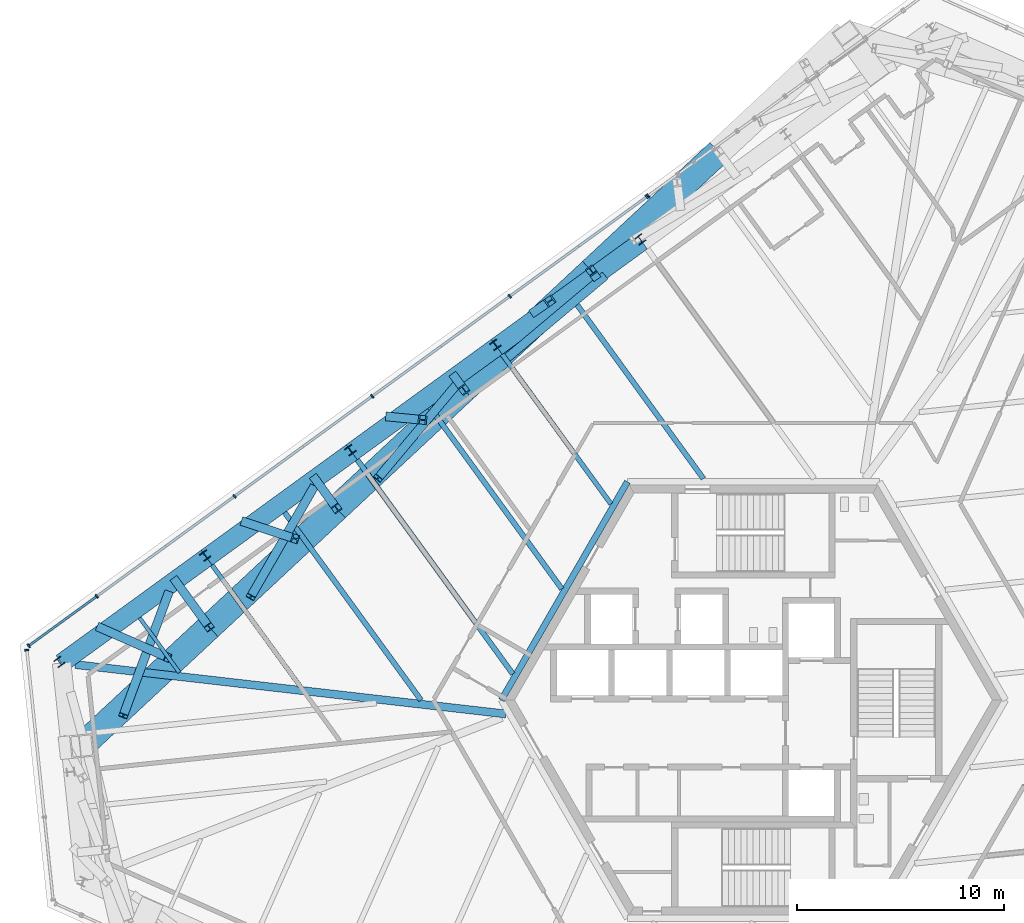
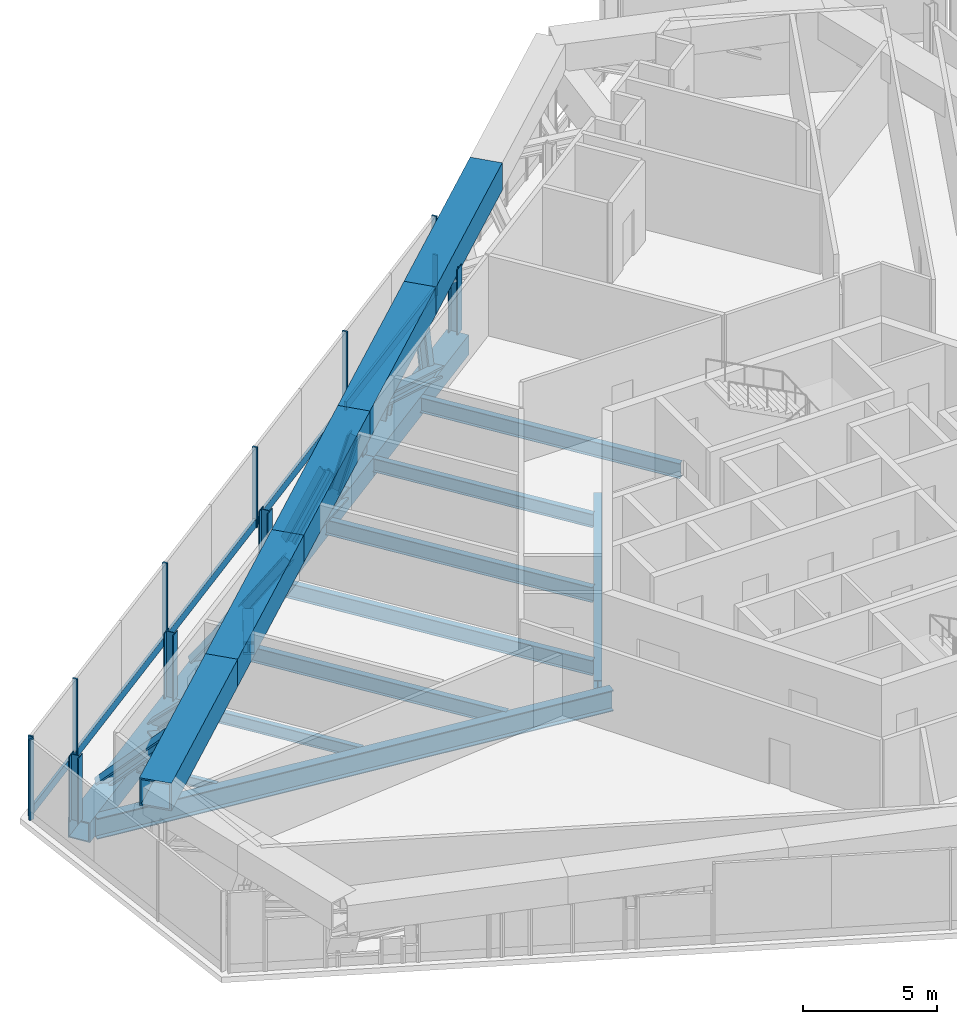
# One storey, part 6 of 30: 39 members, 9 beams, 3 elements without a shape of their own.
"""IFC4 building model written with IfcOpenShell, lengths in metres."""

from ifc_helpers import new_model, si_unit, direction, frame, origin, origin_2d, place, context, subcontext, project, spatial, rectangle, hollow_rectangle, i_section, extrude, source, transform, mapped, material, material_profile, profile_set, type_object, element, aggregate, save


model = new_model("IFC4")

# Units and contexts
model_context = context("Model", 3, precision=1e-05, world=origin(), true_north=direction((0.0, 1.0)))
body_context = subcontext(model_context, "Body", "Model", "MODEL_VIEW")
ifc_project = project(units=[si_unit("LENGTHUNIT", "METRE"), si_unit("AREAUNIT", "SQUARE_METRE"), si_unit("VOLUMEUNIT", "CUBIC_METRE"), si_unit("PLANEANGLEUNIT", "RADIAN"), si_unit("MASSUNIT", "GRAM", prefix="KILO")], contexts=[model_context])

# Site, building, storey
site_placement = place(None, origin())
site = spatial("IfcSite", under=ifc_project, at=site_placement, CompositionType="ELEMENT")
building_placement = place(site_placement, origin())
building = spatial("IfcBuilding", under=site, at=building_placement, Name="Triune Harvest Tower", CompositionType="ELEMENT")
storey_placement = place(building_placement, frame((0.0, 0.0, 94.5)))
storey = spatial("IfcBuildingStorey", under=building, at=storey_placement, Name="L23", CompositionType="ELEMENT", Elevation=94.5)

# Beams
ifc_material_1 = material(Name="Steel ASTM A992 Gr 50", Category="steel")
ifc_material_profile_1 = material_profile(ifc_material_1, i_section(OverallWidth=0.2099609375, OverallDepth=0.535888671875, WebThickness=0.010986328125, FlangeThickness=0.017333984375, at=origin_2d()), Name="W21x68")
ifc_profile_set_1 = profile_set([ifc_material_profile_1], Name="Steel ASTM A992 Gr 50")
beam_type_1 = type_object("IfcBeamType", Name="JT-2 Floor joist W21x68", PredefinedType="JOIST", material=ifc_profile_set_1)
beam_1_placement = place(storey_placement, frame((-26.149169921875, 6.51708984375, -0.51806640625), z_axis=(0.587800655977, -0.809005802719, 0.0), x_axis=(0.809005802719, 0.587800655977, 0.0)))
element("IfcBeam", 1, at=beam_1_placement, inside=storey, type_object=beam_type_1, Name="beam/L23/JT23", PredefinedType="JOIST", context=body_context, shape_type="SweptSolid", body=[
    extrude(i_section(OverallWidth=0.2099609375, OverallDepth=0.535888671875, WebThickness=0.010986328125, FlangeThickness=0.017333984375, at=origin_2d()), origin(), (0.0, 0.0, 1.0), 7.239013671875),
])
ifc_material_2 = material(Name="Steel ASTM A992 Gr 50", Category="steel")
ifc_material_profile_2 = material_profile(ifc_material_2, i_section(OverallWidth=0.253662109375, OverallDepth=0.683349609375, WebThickness=0.012451171875, FlangeThickness=0.01904296875, at=origin_2d()), Name="W27x94")
ifc_profile_set_2 = profile_set([ifc_material_profile_2], Name="Steel ASTM A992 Gr 50")
beam_type_2 = type_object("IfcBeamType", Name="JT-4 Floor joist W27x94", PredefinedType="JOIST", material=ifc_profile_set_2)
beam_2_placement = place(storey_placement, frame((-8.62939453125, 19.24609375, -0.591552734375), z_axis=(0.587780115446, -0.809020726488, 0.0), x_axis=(0.809020726488, 0.587780115446, 0.0)))
element("IfcBeam", 2, at=beam_2_placement, inside=storey, type_object=beam_type_2, Name="beam/L23/JT18", PredefinedType="JOIST", context=body_context, shape_type="SweptSolid", body=[
    extrude(i_section(OverallWidth=0.253662109375, OverallDepth=0.683349609375, WebThickness=0.012451171875, FlangeThickness=0.01904296875, at=origin_2d()), origin(), (0.0, 0.0, 1.0), 10.567138671875),
])
beam_3_placement = place(storey_placement, frame((-15.63720703125, 14.154296875, -0.591552734375), z_axis=(0.587785368145, -0.809016910203, 0.0), x_axis=(0.809016910203, 0.587785368145, 0.0)))
element("IfcBeam", 3, at=beam_3_placement, inside=storey, type_object=beam_type_2, Name="beam/L23/JT20", PredefinedType="JOIST", context=body_context, shape_type="SweptSolid", body=[
    extrude(i_section(OverallWidth=0.253662109375, OverallDepth=0.683349609375, WebThickness=0.012451171875, FlangeThickness=0.01904296875, at=origin_2d()), origin(), (0.0, 0.0, 1.0), 10.861083984375),
])
beam_4_placement = place(storey_placement, frame((-19.14111328125, 11.608642578125, -0.591552734375), z_axis=(0.587790263862, -0.809013353233, 0.0), x_axis=(0.809013353233, 0.587790263862, 0.0)))
element("IfcBeam", 4, at=beam_4_placement, inside=storey, type_object=beam_type_2, Name="beam/L23/JT21", PredefinedType="JOIST", context=body_context, shape_type="SweptSolid", body=[
    extrude(i_section(OverallWidth=0.253662109375, OverallDepth=0.683349609375, WebThickness=0.012451171875, FlangeThickness=0.01904296875, at=origin_2d()), origin(), (0.0, 0.0, 1.0), 12.78955078125),
])

# Members
ifc_material_3 = material(Name="Steel ASTM A992 Gr 50", Category="steel")
ifc_material_profile_3 = material_profile(ifc_material_3, i_section(OverallWidth=0.424072265625, OverallDepth=0.47509765625, WebThickness=0.0478515625, FlangeThickness=0.0771484375, at=origin_2d()), Name="W14x426")
ifc_profile_set_3 = profile_set([ifc_material_profile_3], Name="Steel ASTM A992 Gr 50")
member_type_1 = type_object("IfcMemberType", Name="TD-1 Belt truss diagonal W14x426", PredefinedType="BRACE", material=ifc_profile_set_3)
member_1_placement = place(storey_placement, frame((-7.236083984375, 20.443603515625, -0.324951171875), z_axis=(-0.699873663351, -0.587856418072, 0.405711334671), x_axis=(0.643168057209, -0.765725048687, 0.0)))
element("IfcMember", 5, at=member_1_placement, inside=storey, type_object=member_type_1, Name="truss/L23/TD21", PredefinedType="BRACE", context=body_context, shape_type="SweptSolid", body=[
    extrude(i_section(OverallWidth=0.424072265625, OverallDepth=0.47509765625, WebThickness=0.0478515625, FlangeThickness=0.0771484375, at=origin_2d()), origin(), (0.0, 0.0, 1.0), 6.7783203125),
])
member_2_placement = place(storey_placement, frame((-14.244140625, 15.35205078125, -0.324951171875), z_axis=(-0.585456788848, -0.697087851706, 0.413894763672), x_axis=(0.765757343829, -0.643129606201, 0.0)))
element("IfcMember", 6, at=member_2_placement, inside=storey, type_object=member_type_1, Name="truss/L23/TD23", PredefinedType="BRACE", context=body_context, shape_type="SweptSolid", body=[
    extrude(i_section(OverallWidth=0.424072265625, OverallDepth=0.47509765625, WebThickness=0.0478515625, FlangeThickness=0.0771484375, at=origin_2d()), origin(), (0.0, 0.0, 1.0), 6.644287109375),
])

# Curtain wall, member
ifc_material_4 = material(Name="Aluminium bronze anodised", Category="aluminium")
curtain_wall_type = type_object("IfcCurtainWallType", Name="CW-5 Plant louvre wall", PredefinedType="NOTDEFINED", material=ifc_material_4)
curtain_wall_1_placement = place(storey_placement, origin())
curtain_wall_1 = element("IfcCurtainWall", 7, at=curtain_wall_1_placement, inside=storey, type_object=curtain_wall_type, Name="CW-5 B2-F3 L23 run 1201")
ifc_material_5 = material(Name="Aluminium bronze anodised", Category="aluminium")
ifc_material_profile_4 = material_profile(ifc_material_5, rectangle(XDim=0.10009765625, YDim=0.39990234375, at=origin_2d()), Name="TR-5 transom 100 x 400")
ifc_profile_set_4 = profile_set([ifc_material_profile_4], Name="Aluminium bronze anodised")
member_type_2 = type_object("IfcMemberType", Name="TR-5 transom 100 x 400", PredefinedType="USERDEFINED", material=ifc_profile_set_4)
member_3_placement = place(storey_placement, frame((-5.182373046875, 24.290771484375, 0.199951171875), z_axis=(-0.809022748574, -0.587777332235, 0.0), x_axis=(0.587777332235, -0.809022748574, 0.0)))
member_3 = element("IfcMember", 8, at=member_3_placement, type_object=member_type_2, Name="CW-5 transom B2-F3 1201.1", ObjectType="TRANSOM", PredefinedType="USERDEFINED", context=body_context, shape_type="SweptSolid", body=[
    extrude(rectangle(XDim=0.10009765625, YDim=0.39990234375, at=origin_2d()), origin(), (0.0, 0.0, 1.0), 8.099609375),
])

# Member
ifc_material_6 = material(Name="Steel ASTM A992 Gr 50", Category="steel")
ifc_material_profile_5 = material_profile(ifc_material_6, i_section(OverallWidth=0.411376953125, OverallDepth=0.434326171875, WebThickness=0.035888671875, FlangeThickness=0.057373046875, at=origin_2d()), Name="W14x311")
ifc_profile_set_5 = profile_set([ifc_material_profile_5], Name="Steel ASTM A992 Gr 50")
member_type_3 = type_object("IfcMemberType", Name="TV-1 Belt truss strut W14x311", PredefinedType="STRUT", material=ifc_profile_set_5)
member_4_placement = place(storey_placement, frame((-27.93310546875, 5.77734375, -0.27490234375), z_axis=(0.422494983514, -0.58143357255, 0.695293455756), x_axis=(0.808978111554, 0.587838766181, 0.0)))
element("IfcMember", 9, at=member_4_placement, inside=storey, type_object=member_type_3, Name="truss/L23/TS14", PredefinedType="STRUT", context=body_context, shape_type="SweptSolid", body=[
    extrude(i_section(OverallWidth=0.411376953125, OverallDepth=0.434326171875, WebThickness=0.035888671875, FlangeThickness=0.057373046875, at=origin_2d()), origin(), (0.0, 0.0, 1.0), 3.88330078125),
])

# Beams
ifc_material_7 = material(Name="Steel ASTM A992 Gr 50", Category="steel")
ifc_material_profile_6 = material_profile(ifc_material_7, i_section(OverallWidth=0.3046875, OverallDepth=0.914306640625, WebThickness=0.0166015625, FlangeThickness=0.02587890625, at=origin_2d()), Name="W36x160")
ifc_profile_set_6 = profile_set([ifc_material_profile_6], Name="Steel ASTM A992 Gr 50")
beam_type_3 = type_object("IfcBeamType", Name="CG-1 Core ring girder W36x160", PredefinedType="BEAM", material=ifc_profile_set_6)
shared_shape_1 = source(origin(), body_context, "Body", "SweptSolid", [
    extrude(i_section(OverallWidth=0.3046875, OverallDepth=0.914306640625, WebThickness=0.0166015625, FlangeThickness=0.02587890625, at=origin_2d()), origin(), (0.0, 0.0, 1.0), 12.176025390625),
])
beam_5_placement = place(storey_placement, frame((-6.087890625, 10.544677734375, -0.707275390625), z_axis=(-0.5000099932, -0.866019634131, 0.0), x_axis=(0.866019634131, -0.5000099932, 0.0)))
element("IfcBeam", 10, at=beam_5_placement, inside=storey, type_object=beam_type_3, Name="beam/L23/CG3", PredefinedType="BEAM", context=body_context, shape_type="MappedRepresentation", body=[
    mapped(shared_shape_1, transform((0.0, 0.0, 0.0), scale=1.0)),
])
ifc_material_8 = material(Name="Steel ASTM A992 Gr 50", Category="steel")
ifc_material_profile_7 = material_profile(ifc_material_8, i_section(OverallWidth=0.383544921875, OverallDepth=0.9423828125, WebThickness=0.022216796875, FlangeThickness=0.039794921875, at=origin_2d()), Name="W36x232")
ifc_profile_set_7 = profile_set([ifc_material_profile_7], Name="Steel ASTM A992 Gr 50")
beam_type_4 = type_object("IfcBeamType", Name="HG-1 Hip girder W36x232", PredefinedType="BEAM", material=ifc_profile_set_7)
shared_shape_2 = source(origin(), body_context, "Body", "SweptSolid", [
    extrude(i_section(OverallWidth=0.383544921875, OverallDepth=0.9423828125, WebThickness=0.022216796875, FlangeThickness=0.039794921875, at=origin_2d()), origin(), (0.0, 0.0, 1.0), 20.931884765625),
])
beam_6_placement = place(storey_placement, frame((-32.76025390625, 1.7138671875, -0.72119140625), z_axis=(0.993487519212, -0.113940989859, 0.0), x_axis=(0.113940989859, 0.993487519212, 0.0)))
element("IfcBeam", 11, at=beam_6_placement, inside=storey, type_object=beam_type_4, Name="beam/L23/HG5", PredefinedType="BEAM", context=body_context, shape_type="MappedRepresentation", body=[
    mapped(shared_shape_2, transform((0.0, 0.0, 0.0), scale=1.0)),
])
ifc_material_9 = material(Name="Steel ASTM A992 Gr 50", Category="steel")
ifc_material_profile_8 = material_profile(ifc_material_9, i_section(OverallWidth=0.22900390625, OverallDepth=0.612060546875, WebThickness=0.011962890625, FlangeThickness=0.01953125, at=origin_2d()), Name="W24x84")
ifc_profile_set_8 = profile_set([ifc_material_profile_8], Name="Steel ASTM A992 Gr 50")
beam_type_5 = type_object("IfcBeamType", Name="JT-3 Floor joist W24x84", PredefinedType="JOIST", material=ifc_profile_set_8)
shared_shape_3 = source(origin(), body_context, "Body", "SweptSolid", [
    extrude(i_section(OverallWidth=0.22900390625, OverallDepth=0.612060546875, WebThickness=0.011962890625, FlangeThickness=0.01953125, at=origin_2d()), origin(), (0.0, 0.0, 1.0), 8.93310546875),
])
beam_7_placement = place(storey_placement, frame((-12.13330078125, 16.7001953125, -0.55615234375), z_axis=(0.587783250415, -0.80901844882, 0.0), x_axis=(0.80901844882, 0.587783250415, 0.0)))
element("IfcBeam", 12, at=beam_7_placement, inside=storey, type_object=beam_type_5, Name="beam/L23/JT19", PredefinedType="JOIST", context=body_context, shape_type="MappedRepresentation", body=[
    mapped(shared_shape_3, transform((0.0, 0.0, 0.0), scale=1.0)),
])
ifc_material_10 = material(Name="Steel ASTM A992 Gr 50", Category="steel")
ifc_material_profile_9 = material_profile(ifc_material_10, i_section(OverallWidth=0.180908203125, OverallDepth=0.41650390625, WebThickness=0.010986328125, FlangeThickness=0.01806640625, at=origin_2d()), Name="W16x57")
ifc_profile_set_9 = profile_set([ifc_material_profile_9], Name="Steel ASTM A992 Gr 50")
beam_type_6 = type_object("IfcBeamType", Name="JT-1 Floor joist W16x57", PredefinedType="JOIST", material=ifc_profile_set_9)
shared_shape_4 = source(origin(), body_context, "Body", "SweptSolid", [
    extrude(i_section(OverallWidth=0.180908203125, OverallDepth=0.41650390625, WebThickness=0.010986328125, FlangeThickness=0.01806640625, at=origin_2d()), origin(), (0.0, 0.0, 1.0), 3.264404296875),
])
beam_8_placement = place(storey_placement, frame((-29.653076171875, 3.971435546875, -0.458251953125), z_axis=(0.587784737056, -0.809017368716, 0.0), x_axis=(0.809017368716, 0.587784737056, 0.0)))
element("IfcBeam", 13, at=beam_8_placement, inside=storey, type_object=beam_type_6, Name="beam/L23/JT24", PredefinedType="JOIST", context=body_context, shape_type="MappedRepresentation", body=[
    mapped(shared_shape_4, transform((0.0, 0.0, 0.0), scale=1.0)),
])
shared_shape_5 = source(origin(), body_context, "Body", "SweptSolid", [
    extrude(i_section(OverallWidth=0.253662109375, OverallDepth=0.683349609375, WebThickness=0.012451171875, FlangeThickness=0.01904296875, at=origin_2d()), origin(), (0.0, 0.0, 1.0), 11.213623046875),
])
beam_9_placement = place(storey_placement, frame((-22.645263671875, 9.06298828125, -0.591552734375), z_axis=(0.587791040544, -0.809012788932, 0.0), x_axis=(0.809012788932, 0.587791040544, 0.0)))
element("IfcBeam", 14, at=beam_9_placement, inside=storey, type_object=beam_type_2, Name="beam/L23/JT22", PredefinedType="JOIST", context=body_context, shape_type="MappedRepresentation", body=[
    mapped(shared_shape_5, transform((0.0, 0.0, 0.0), scale=1.0)),
])

# Members
ifc_material_11 = material(Name="Steel ASTM A992 Gr 50", Category="steel")
ifc_material_profile_10 = material_profile(ifc_material_11, i_section(OverallWidth=0.398681640625, OverallDepth=0.393798828125, WebThickness=0.022705078125, FlangeThickness=0.03662109375, at=origin_2d()), Name="W14x193")
ifc_profile_set_10 = profile_set([ifc_material_profile_10], Name="Steel ASTM A992 Gr 50")
member_type_4 = type_object("IfcMemberType", Name="WP-2 Roof edge post W14x193", PredefinedType="POST", material=ifc_profile_set_10)
shared_shape_6 = source(origin(), body_context, "Body", "SweptSolid", [
    extrude(i_section(OverallWidth=0.398681640625, OverallDepth=0.393798828125, WebThickness=0.022705078125, FlangeThickness=0.03662109375, at=origin_2d()), origin(), (0.0, 0.0, 1.0), 2.9755859375),
])
for number, where, z_axis, x_axis, name in (
    (15, (-5.46044921875, 22.2529296875, -0.25), (0.0, 0.0, 1.0), (-0.809016994375, -0.587785252292, 0.0), "post/L23/W10"),
    (16, (-12.468505859375, 17.161376953125, -0.25), (0.0, 0.0, 1.0), (-0.809016994375, -0.587785252292, 0.0), "post/L23/W11"),
    (17, (-19.476318359375, 12.06982421875, -0.25), (0.0, 0.0, 1.0), (-0.809016994375, -0.587785252292, 0.0), "post/L23/W12"),
    (18, (-26.484130859375, 6.978271484375, -0.25), (0.0, 0.0, 1.0), (-0.809016994375, -0.587785252292, 0.0), "post/L23/W13"),
    (19, (-33.531005859375, 1.83837890625, -0.25), (0.0, 0.0, 1.0), (-0.809016994375, -0.587785252292, 0.0), "post/L23/W14"),
):
    element("IfcMember", number, at=place(storey_placement, frame(where, z_axis=z_axis, x_axis=x_axis)), inside=storey, type_object=member_type_4, Name=name, PredefinedType="POST", context=body_context, shape_type="MappedRepresentation", body=[
        mapped(shared_shape_6, transform((0.0, 0.0, 0.0), scale=1.0)),
    ])
ifc_material_12 = material(Name="Steel ASTM A572 Gr 50", Category="steel")
ifc_material_profile_11 = material_profile(ifc_material_12, hollow_rectangle(XDim=0.89990234375, YDim=0.89990234375, WallThickness=0.050048828125, at=origin_2d()), Name="Box 900x900x50")
ifc_profile_set_11 = profile_set([ifc_material_profile_11], Name="Steel ASTM A572 Gr 50")
member_type_5 = type_object("IfcMemberType", Name="TC-2 Belt truss chord Box 900x900x50", PredefinedType="CHORD", material=ifc_profile_set_11)
shared_shape_7 = source(origin(), body_context, "Body", "SweptSolid", [
    extrude(hollow_rectangle(XDim=0.89990234375, YDim=0.89990234375, WallThickness=0.050048828125, at=origin_2d()), origin(), (0.0, 0.0, 1.0), 8.662109375),
])
for number, where, z_axis, x_axis, name in (
    (20, (-12.39794921875, 17.064208984375, -0.699951171875), (-0.809012661611, -0.587791215785, 0.0), (0.587791215785, -0.809012661611, 0.0), "truss/L23/TCB12"),
    (21, (-19.40576171875, 11.97265625, -0.699951171875), (-0.809012661611, -0.587791215785, 0.0), (0.587791215785, -0.809012661611, 0.0), "truss/L23/TCB13"),
    (22, (-26.41357421875, 6.881103515625, -0.699951171875), (-0.809026064292, -0.58777276842, 0.0), (0.58777276842, -0.809026064292, 0.0), "truss/L23/TCB14"),
):
    element("IfcMember", number, at=place(storey_placement, frame(where, z_axis=z_axis, x_axis=x_axis)), inside=storey, type_object=member_type_5, Name=name, PredefinedType="CHORD", context=body_context, shape_type="MappedRepresentation", body=[
        mapped(shared_shape_7, transform((0.0, 0.0, 0.0), scale=1.0)),
    ])
shared_shape_8 = source(origin(), body_context, "Body", "SweptSolid", [
    extrude(hollow_rectangle(XDim=0.89990234375, YDim=0.89990234375, WallThickness=0.050048828125, at=origin_2d()), origin(), (0.0, 0.0, 1.0), 8.662353515625),
])
member_5_placement = place(storey_placement, frame((-5.389892578125, 22.15576171875, -0.699951171875), z_axis=(-0.809022399038, -0.58777781334, 0.0), x_axis=(0.58777781334, -0.809022399038, 0.0)))
element("IfcMember", 23, at=member_5_placement, inside=storey, type_object=member_type_5, Name="truss/L23/TCB11", PredefinedType="CHORD", context=body_context, shape_type="MappedRepresentation", body=[
    mapped(shared_shape_8, transform((0.0, 0.0, 0.0), scale=1.0)),
])
ifc_material_13 = material(Name="Steel ASTM A572 Gr 50", Category="steel")
ifc_material_profile_12 = material_profile(ifc_material_13, hollow_rectangle(XDim=1.25, YDim=1.25, WallThickness=0.070068359375, at=origin_2d()), Name="Box 1250x1250x70")
ifc_profile_set_12 = profile_set([ifc_material_profile_12], Name="Steel ASTM A572 Gr 50")
member_type_6 = type_object("IfcMemberType", Name="TC-1 Belt truss chord Box 1250x1250x70", PredefinedType="CHORD", material=ifc_profile_set_12)
shared_shape_9 = source(origin(), body_context, "Body", "SweptSolid", [
    extrude(hollow_rectangle(XDim=1.25, YDim=1.25, WallThickness=0.070068359375, at=origin_2d()), origin(), (0.0, 0.0, 1.0), 8.414306640625),
])
member_6_placement = place(storey_placement, frame((-7.830810546875, 20.7353515625, 3.014892578125), z_axis=(-0.731353343594, -0.681998743997, 0.0), x_axis=(0.681998743997, -0.731353343594, 0.0)))
element("IfcMember", 24, at=member_6_placement, inside=storey, type_object=member_type_6, Name="truss/L23/TCT11", PredefinedType="CHORD", context=body_context, shape_type="MappedRepresentation", body=[
    mapped(shared_shape_9, transform((0.0, 0.0, 0.0), scale=1.0)),
])
shared_shape_10 = source(origin(), body_context, "Body", "SweptSolid", [
    extrude(hollow_rectangle(XDim=1.25, YDim=1.25, WallThickness=0.070068359375, at=origin_2d()), origin(), (0.0, 0.0, 1.0), 8.41455078125),
])
for number, where, z_axis, x_axis, name in (
    (25, (-1.6767578125, 26.47412109375, 3.014892578125), (-0.731352366994, -0.68199979127, 0.0), (0.68199979127, -0.731352366994, 0.0), "truss/L23/TCT10"),
    (26, (-13.984619140625, 14.996826171875, 3.014892578125), (-0.731366838711, -0.681984271984, 0.0), (0.681984271984, -0.731366838711, 0.0), "truss/L23/TCT12"),
    (27, (-20.138671875, 9.25830078125, 3.014892578125), (-0.73133887153, -0.68201426304, 0.0), (0.68201426304, -0.73133887153, 0.0), "truss/L23/TCT13"),
    (28, (-26.29248046875, 3.51953125, 3.014892578125), (-0.731366838711, -0.681984271984, 0.0), (0.681984271984, -0.731366838711, 0.0), "truss/L23/TCT14"),
):
    element("IfcMember", number, at=place(storey_placement, frame(where, z_axis=z_axis, x_axis=x_axis)), inside=storey, type_object=member_type_6, Name=name, PredefinedType="CHORD", context=body_context, shape_type="MappedRepresentation", body=[
        mapped(shared_shape_10, transform((0.0, 0.0, 0.0), scale=1.0)),
    ])
shared_shape_11 = source(origin(), body_context, "Body", "SweptSolid", [
    extrude(i_section(OverallWidth=0.411376953125, OverallDepth=0.434326171875, WebThickness=0.035888671875, FlangeThickness=0.057373046875, at=origin_2d()), origin(), (0.0, 0.0, 1.0), 2.715087890625),
])
member_7_placement = place(storey_placement, frame((-7.6630859375, 20.50439453125, -0.27490234375), z_axis=(-0.061777086968, 0.085067138678, 0.99445823112), x_axis=(-0.809142750776, -0.587612124506, 0.0)))
element("IfcMember", 29, at=member_7_placement, inside=storey, type_object=member_type_3, Name="truss/L23/TS11", PredefinedType="STRUT", context=body_context, shape_type="MappedRepresentation", body=[
    mapped(shared_shape_11, transform((0.0, 0.0, 0.0), scale=1.0)),
])
shared_shape_12 = source(origin(), body_context, "Body", "SweptSolid", [
    extrude(i_section(OverallWidth=0.411376953125, OverallDepth=0.434326171875, WebThickness=0.035888671875, FlangeThickness=0.057373046875, at=origin_2d()), origin(), (0.0, 0.0, 1.0), 2.799560546875),
])
member_8_placement = place(storey_placement, frame((-14.419677734375, 15.595458984375, -0.27490234375), z_axis=(0.155404102013, -0.213833253724, 0.964429833985), x_axis=(0.808935766095, 0.587897037186, 0.0)))
element("IfcMember", 30, at=member_8_placement, inside=storey, type_object=member_type_3, Name="truss/L23/TS12", PredefinedType="STRUT", context=body_context, shape_type="MappedRepresentation", body=[
    mapped(shared_shape_12, transform((0.0, 0.0, 0.0), scale=1.0)),
])
shared_shape_13 = source(origin(), body_context, "Body", "SweptSolid", [
    extrude(i_section(OverallWidth=0.411376953125, OverallDepth=0.434326171875, WebThickness=0.035888671875, FlangeThickness=0.057373046875, at=origin_2d()), origin(), (0.0, 0.0, 1.0), 3.225830078125),
])
member_9_placement = place(storey_placement, frame((-21.17626953125, 10.686279296875, -0.27490234375), z_axis=(0.32166082823, -0.442680984545, 0.836999317505), x_axis=(0.808987215142, 0.587826237708, 0.0)))
element("IfcMember", 31, at=member_9_placement, inside=storey, type_object=member_type_3, Name="truss/L23/TS13", PredefinedType="STRUT", context=body_context, shape_type="MappedRepresentation", body=[
    mapped(shared_shape_13, transform((0.0, 0.0, 0.0), scale=1.0)),
])
shared_shape_14 = source(origin(), body_context, "Body", "SweptSolid", [
    extrude(i_section(OverallWidth=0.424072265625, OverallDepth=0.47509765625, WebThickness=0.0478515625, FlangeThickness=0.0771484375, at=origin_2d()), origin(), (0.0, 0.0, 1.0), 2.884765625),
])
member_10_placement = place(storey_placement, frame((-10.5517578125, 18.776611328125, -0.324951171875), z_axis=(0.248302620752, 0.172136172668, 0.953265412457), x_axis=(-0.569734220231, 0.821829007944, 0.0)))
element("IfcMember", 32, at=member_10_placement, inside=storey, type_object=member_type_1, Name="truss/L23/TD22", PredefinedType="BRACE", context=body_context, shape_type="MappedRepresentation", body=[
    mapped(shared_shape_14, transform((0.0, 0.0, 0.0), scale=1.0)),
])
shared_shape_15 = source(origin(), body_context, "Body", "SweptSolid", [
    extrude(i_section(OverallWidth=0.424072265625, OverallDepth=0.47509765625, WebThickness=0.0478515625, FlangeThickness=0.0771484375, at=origin_2d()), origin(), (0.0, 0.0, 1.0), 3.170166015625),
])
member_11_placement = place(storey_placement, frame((-17.5595703125, 13.684814453125, -0.324951171875), z_axis=(0.495256880927, -0.047438693617, 0.867450397569), x_axis=(0.095349620422, 0.995443845672, 0.0)))
element("IfcMember", 33, at=member_11_placement, inside=storey, type_object=member_type_1, Name="truss/L23/TD24", PredefinedType="BRACE", context=body_context, shape_type="MappedRepresentation", body=[
    mapped(shared_shape_15, transform((0.0, 0.0, 0.0), scale=1.0)),
])
shared_shape_16 = source(origin(), body_context, "Body", "SweptSolid", [
    extrude(i_section(OverallWidth=0.424072265625, OverallDepth=0.47509765625, WebThickness=0.0478515625, FlangeThickness=0.0771484375, at=origin_2d()), origin(), (0.0, 0.0, 1.0), 6.681640625),
])
member_12_placement = place(storey_placement, frame((-21.251953125, 10.260498046875, -0.324951171875), z_axis=(-0.4543596108, -0.790041295111, 0.411572710579), x_axis=(0.866865586901, -0.498541928273, 0.0)))
element("IfcMember", 34, at=member_12_placement, inside=storey, type_object=member_type_1, Name="truss/L23/TD25", PredefinedType="BRACE", context=body_context, shape_type="MappedRepresentation", body=[
    mapped(shared_shape_16, transform((0.0, 0.0, 0.0), scale=1.0)),
])
shared_shape_17 = source(origin(), body_context, "Body", "SweptSolid", [
    extrude(i_section(OverallWidth=0.424072265625, OverallDepth=0.47509765625, WebThickness=0.0478515625, FlangeThickness=0.0771484375, at=origin_2d()), origin(), (0.0, 0.0, 1.0), 3.751708984375),
])
member_13_placement = place(storey_placement, frame((-24.5673828125, 8.593505859375, -0.324951171875), z_axis=(0.646136664825, -0.212602324905, 0.733012729639), x_axis=(0.312551692813, 0.949900752353, 0.0)))
element("IfcMember", 35, at=member_13_placement, inside=storey, type_object=member_type_1, Name="truss/L23/TD26", PredefinedType="BRACE", context=body_context, shape_type="MappedRepresentation", body=[
    mapped(shared_shape_17, transform((0.0, 0.0, 0.0), scale=1.0)),
])
shared_shape_18 = source(origin(), body_context, "Body", "SweptSolid", [
    extrude(i_section(OverallWidth=0.424072265625, OverallDepth=0.47509765625, WebThickness=0.0478515625, FlangeThickness=0.0771484375, at=origin_2d()), origin(), (0.0, 0.0, 1.0), 6.8876953125),
])
member_14_placement = place(storey_placement, frame((-28.259765625, 5.1689453125, -0.324951171875), z_axis=(-0.316819802699, -0.860354693568, 0.39926809774), x_axis=(0.938397231722, -0.34555844006, 0.0)))
element("IfcMember", 36, at=member_14_placement, inside=storey, type_object=member_type_1, Name="truss/L23/TD27", PredefinedType="BRACE", context=body_context, shape_type="MappedRepresentation", body=[
    mapped(shared_shape_18, transform((0.0, 0.0, 0.0), scale=1.0)),
])
shared_shape_19 = source(origin(), body_context, "Body", "SweptSolid", [
    extrude(i_section(OverallWidth=0.424072265625, OverallDepth=0.47509765625, WebThickness=0.0478515625, FlangeThickness=0.0771484375, at=origin_2d()), origin(), (0.0, 0.0, 1.0), 4.51611328125),
])
member_15_placement = place(storey_placement, frame((-31.5751953125, 3.501953125, -0.324951171875), z_axis=(0.725827401176, -0.31993494415, 0.608946808197), x_axis=(0.403341507094, 0.915049522515, 0.0)))
element("IfcMember", 37, at=member_15_placement, inside=storey, type_object=member_type_1, Name="truss/L23/TD28", PredefinedType="BRACE", context=body_context, shape_type="MappedRepresentation", body=[
    mapped(shared_shape_19, transform((0.0, 0.0, 0.0), scale=1.0)),
])

# Member
ifc_material_14 = material(Name="Aluminium bronze anodised", Category="aluminium")
ifc_material_profile_13 = material_profile(ifc_material_14, rectangle(XDim=0.199951171875, YDim=0.080078125, at=origin_2d()), Name="MU-5 mullion 80 x 200")
ifc_profile_set_13 = profile_set([ifc_material_profile_13], Name="Aluminium bronze anodised")
member_type_7 = type_object("IfcMemberType", Name="MU-5 mullion 80 x 200", PredefinedType="MULLION", material=ifc_profile_set_13)
shared_shape_20 = source(origin(), body_context, "Body", "SweptSolid", [
    extrude(rectangle(XDim=0.199951171875, YDim=0.080078125, at=origin_2d()), origin(), (0.0, 0.0, 1.0), 3.639892578125),
])
member_16_placement = place(storey_placement, frame((-5.14990234375, 24.314453125, 0.0), z_axis=(0.0, 0.0, 1.0), x_axis=(0.587786150748, -0.809016341608, 0.0)))
member_16 = element("IfcMember", 38, at=member_16_placement, type_object=member_type_7, Name="CW-5 mullion B2-F3 1201.1", PredefinedType="MULLION", context=body_context, shape_type="MappedRepresentation", body=[
    mapped(shared_shape_20, transform((0.0, 0.0, 0.0), scale=1.0)),
])

member_17_placement = place(storey_placement, frame((-11.767578125, 19.506591796875, 0.0), z_axis=(0.0, 0.0, 1.0), x_axis=(0.587786150748, -0.809016341608, 0.0)))
member_17 = element("IfcMember", 39, at=member_17_placement, type_object=member_type_7, Name="CW-5 mullion B2-F3 1201.3", PredefinedType="MULLION", context=body_context, shape_type="MappedRepresentation", body=[
    mapped(shared_shape_20, transform((0.0, 0.0, 0.0), scale=1.0)),
])

member_18_placement = place(storey_placement, frame((-18.417236328125, 14.675048828125, 0.0), z_axis=(0.0, 0.0, 1.0), x_axis=(0.587786150748, -0.809016341608, 0.0)))
member_18 = element("IfcMember", 40, at=member_18_placement, type_object=member_type_7, Name="CW-5 mullion B2-F3 1201.5", PredefinedType="MULLION", context=body_context, shape_type="MappedRepresentation", body=[
    mapped(shared_shape_20, transform((0.0, 0.0, 0.0), scale=1.0)),
])

member_19_placement = place(storey_placement, frame((-25.067138671875, 9.84375, 0.0), z_axis=(0.0, 0.0, 1.0), x_axis=(0.587786150748, -0.809016341608, 0.0)))
member_19 = element("IfcMember", 41, at=member_19_placement, type_object=member_type_7, Name="CW-5 mullion B2-F3 1201.7", PredefinedType="MULLION", context=body_context, shape_type="MappedRepresentation", body=[
    mapped(shared_shape_20, transform((0.0, 0.0, 0.0), scale=1.0)),
])

member_20_placement = place(storey_placement, frame((-31.717041015625, 5.01220703125, 0.0), z_axis=(0.0, 0.0, 1.0), x_axis=(0.587786150748, -0.809016341608, 0.0)))
member_20 = element("IfcMember", 42, at=member_20_placement, type_object=member_type_7, Name="CW-5 mullion B2-F3 1201.9", PredefinedType="MULLION", context=body_context, shape_type="MappedRepresentation", body=[
    mapped(shared_shape_20, transform((0.0, 0.0, 0.0), scale=1.0)),
])

member_21_placement = place(storey_placement, frame((-35.009521484375, 2.6201171875, 0.0), z_axis=(0.0, 0.0, 1.0), x_axis=(0.587786150748, -0.809016341608, 0.0)))
member_21 = element("IfcMember", 43, at=member_21_placement, type_object=member_type_7, Name="CW-5 mullion B2-F3 1201.10", PredefinedType="MULLION", context=body_context, shape_type="MappedRepresentation", body=[
    mapped(shared_shape_20, transform((0.0, 0.0, 0.0), scale=1.0)),
])

# Curtain wall, member
curtain_wall_2_placement = place(storey_placement, origin())
curtain_wall_2 = element("IfcCurtainWall", 44, at=curtain_wall_2_placement, inside=storey, type_object=curtain_wall_type, Name="CW-5 B2-F4 L23 run 1")
member_22_placement = place(storey_placement, frame((-35.101318359375, 2.414306640625, 0.0), z_axis=(0.0, 0.0, 1.0), x_axis=(0.994521790334, 0.104529462601, 0.0)))
member_22 = element("IfcMember", 45, at=member_22_placement, type_object=member_type_7, Name="CW-5 mullion B2-F4 1.1", PredefinedType="MULLION", context=body_context, shape_type="MappedRepresentation", body=[
    mapped(shared_shape_20, transform((0.0, 0.0, 0.0), scale=1.0)),
])
aggregate(curtain_wall_2, [member_22])

# Member
shared_shape_21 = source(origin(), body_context, "Body", "SweptSolid", [
    extrude(rectangle(XDim=0.10009765625, YDim=0.39990234375, at=origin_2d()), origin(), (0.0, 0.0, 1.0), 3.98974609375),
])
member_23_placement = place(storey_placement, frame((-31.74951171875, 4.98876953125, 0.199951171875), z_axis=(-0.809005900975, -0.587800520745, 0.0), x_axis=(0.587800520745, -0.809005900975, 0.0)))
member_23 = element("IfcMember", 46, at=member_23_placement, type_object=member_type_2, Name="CW-5 transom B2-F3 1201.5", ObjectType="TRANSOM", PredefinedType="USERDEFINED", context=body_context, shape_type="MappedRepresentation", body=[
    mapped(shared_shape_21, transform((0.0, 0.0, 0.0), scale=1.0)),
])

# Curtain wall, member
curtain_wall_3_placement = place(storey_placement, origin())
curtain_wall_3 = element("IfcCurtainWall", 47, at=curtain_wall_3_placement, inside=storey, type_object=curtain_wall_type, Name="CW-5 B2-F3 L23 run 1101")
shared_shape_22 = source(origin(), body_context, "Body", "SweptSolid", [
    extrude(rectangle(XDim=0.199951171875, YDim=0.080078125, at=origin_2d()), origin(), (0.0, 0.0, 1.0), 1.83642578125),
])
member_24_placement = place(storey_placement, frame((-5.085205078125, 24.361328125, 0.0), z_axis=(0.0, 0.0, 1.0), x_axis=(0.587764791306, -0.809031859757, 0.0)))
member_24 = element("IfcMember", 48, at=member_24_placement, type_object=member_type_7, Name="CW-5 mullion B2-F3 1101.2", PredefinedType="MULLION", context=body_context, shape_type="MappedRepresentation", body=[
    mapped(shared_shape_22, transform((0.0, 0.0, 0.0), scale=1.0)),
])
aggregate(curtain_wall_3, [member_24])

# Member
shared_shape_23 = source(origin(), body_context, "Body", "SweptSolid", [
    extrude(rectangle(XDim=0.10009765625, YDim=0.39990234375, at=origin_2d()), origin(), (0.0, 0.0, 1.0), 8.1396484375),
])
member_25_placement = place(storey_placement, frame((-11.7998046875, 19.48291015625, 0.199951171875), z_axis=(-0.809017445192, -0.587784631796, 0.0), x_axis=(0.587784631796, -0.809017445192, 0.0)))
member_25 = element("IfcMember", 49, at=member_25_placement, type_object=member_type_2, Name="CW-5 transom B2-F3 1201.2", ObjectType="TRANSOM", PredefinedType="USERDEFINED", context=body_context, shape_type="MappedRepresentation", body=[
    mapped(shared_shape_23, transform((0.0, 0.0, 0.0), scale=1.0)),
])

member_26_placement = place(storey_placement, frame((-18.44970703125, 14.651611328125, 0.199951171875), z_axis=(-0.809017445192, -0.587784631796, 0.0), x_axis=(0.587784631796, -0.809017445192, 0.0)))
member_26 = element("IfcMember", 50, at=member_26_placement, type_object=member_type_2, Name="CW-5 transom B2-F3 1201.3", ObjectType="TRANSOM", PredefinedType="USERDEFINED", context=body_context, shape_type="MappedRepresentation", body=[
    mapped(shared_shape_23, transform((0.0, 0.0, 0.0), scale=1.0)),
])

member_27_placement = place(storey_placement, frame((-25.099609375, 9.820068359375, 0.199951171875), z_axis=(-0.809017445192, -0.587784631796, 0.0), x_axis=(0.587784631796, -0.809017445192, 0.0)))
member_27 = element("IfcMember", 51, at=member_27_placement, type_object=member_type_2, Name="CW-5 transom B2-F3 1201.4", ObjectType="TRANSOM", PredefinedType="USERDEFINED", context=body_context, shape_type="MappedRepresentation", body=[
    mapped(shared_shape_23, transform((0.0, 0.0, 0.0), scale=1.0)),
])

aggregate(curtain_wall_1, [member_16, member_17, member_18, member_19, member_20, member_21, member_3, member_25, member_26, member_27, member_23])

save(model, "model.ifc")
